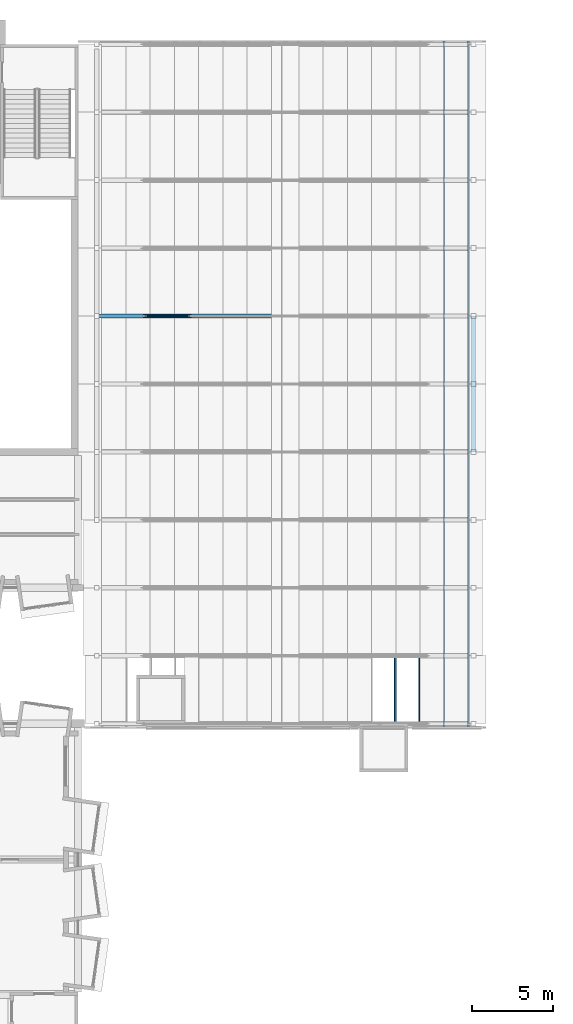
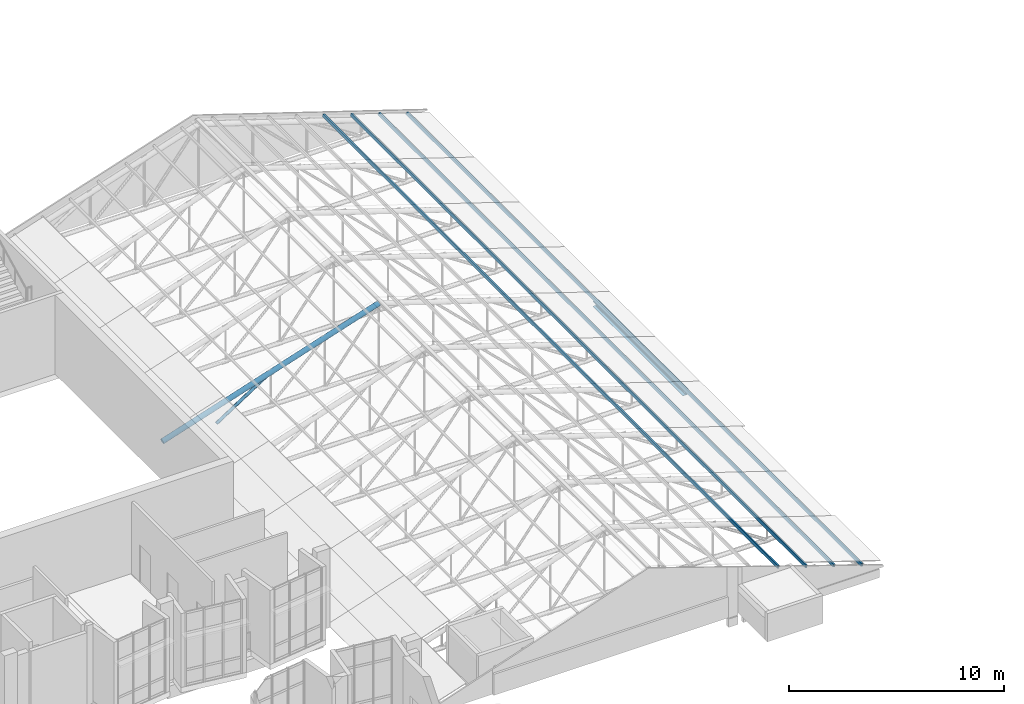
# One storey, part 36 of 95: 6 members, 1 beam.
"""IFC4 building model written with IfcOpenShell, lengths in metres."""

from ifc_helpers import new_model, si_unit, direction, frame, origin, origin_2d, place, context, subcontext, project, spatial, hollow_rectangle, hollow_circle, i_section, extrude, material, material_profile, profile_set, type_object, element, save


model = new_model("IFC4")

# Units and contexts
model_context = context("Model", 3, precision=1e-05, world=origin(), true_north=direction((0.0, 1.0)))
body_context = subcontext(model_context, "Body", "Model", "MODEL_VIEW")
ifc_project = project(units=[si_unit("LENGTHUNIT", "METRE"), si_unit("AREAUNIT", "SQUARE_METRE"), si_unit("VOLUMEUNIT", "CUBIC_METRE"), si_unit("PLANEANGLEUNIT", "RADIAN"), si_unit("MASSUNIT", "GRAM", prefix="KILO")], contexts=[model_context])

# Site, building, storey
site_placement = place(None, origin())
site = spatial("IfcSite", under=ifc_project, at=site_placement, CompositionType="ELEMENT")
building_placement = place(site_placement, origin())
building = spatial("IfcBuilding", under=site, at=building_placement, Name="Kiln Court Media Centre", CompositionType="ELEMENT")
storey_placement = place(building_placement, frame((0.0, 0.0, 24.60009765625)))
storey = spatial("IfcBuildingStorey", under=building, at=storey_placement, Name="L05", CompositionType="ELEMENT", Elevation=24.60009765625)

# Members
ifc_material_1 = material(Name="Steel ASTM A500 Gr C", Category="steel")
ifc_material_profile_1 = material_profile(ifc_material_1, hollow_circle(Radius=0.084228515625, WallThickness=0.00634765625, at=origin_2d()), Name="CHS 168.3x6.3")
ifc_profile_set_1 = profile_set([ifc_material_profile_1], Name="Steel ASTM A500 Gr C")
member_type_1 = type_object("IfcMemberType", Name="Steel ASTM A500 Gr C CHS 168.3x6.3 truss web", PredefinedType="BRACE", material=ifc_profile_set_1)
member_1_placement = place(storey_placement, frame((37.66259765625, 50.39990234375, -0.013916015625), z_axis=(0.838470915332, 0.0, 0.544946349784), x_axis=(0.0, 1.0, 0.0)))
element("IfcMember", 1, at=member_1_placement, inside=storey, type_object=member_type_1, Name="foyer truss FT-07 diagonal 2 truss web", PredefinedType="BRACE", context=body_context, shape_type="SweptSolid", body=[
    extrude(hollow_circle(Radius=0.084228515625, WallThickness=0.00634765625, at=origin_2d()), origin(), (0.0, 0.0, 1.0), 3.473388671875),
])
ifc_material_2 = material(Name="Steel ASTM A500 Gr C", Category="steel")
ifc_material_profile_2 = material_profile(ifc_material_2, hollow_circle(Radius=0.136474609375, WallThickness=0.010009765625, at=origin_2d()), Name="CHS 273.0x10.0")
ifc_profile_set_2 = profile_set([ifc_material_profile_2], Name="Steel ASTM A500 Gr C")
member_type_2 = type_object("IfcMemberType", Name="Steel ASTM A500 Gr C CHS 273.0x10.0 truss chord", PredefinedType="CHORD", material=ifc_profile_set_2)
member_2_placement = place(storey_placement, frame((34.75, 50.39990234375, -0.013916015625), z_axis=(0.951053693326, 0.0, 0.309025682447), x_axis=(0.0, 1.0, 0.0)))
element("IfcMember", 2, at=member_2_placement, inside=storey, type_object=member_type_2, Name="foyer truss FT-07 west rafter truss chord", PredefinedType="CHORD", context=body_context, shape_type="SweptSolid", body=[
    extrude(hollow_circle(Radius=0.136474609375, WallThickness=0.010009765625, at=origin_2d()), origin(), (0.0, 0.0, 1.0), 12.24951171875),
])
ifc_material_3 = material(Name="Steel ASTM A500 Gr C", Category="steel")
ifc_material_profile_3 = material_profile(ifc_material_3, hollow_rectangle(XDim=0.10009765625, YDim=0.14990234375, WallThickness=0.008056640625, at=origin_2d()), Name="RHS 150x100x8.0")
ifc_profile_set_3 = profile_set([ifc_material_profile_3], Name="Steel ASTM A500 Gr C")
member_type_3 = type_object("IfcMemberType", Name="Steel ASTM A500 Gr C RHS 150x100x8.0 roof purlin", PredefinedType="PURLIN", material=ifc_profile_set_3)
for number, where, z_axis, x_axis, name in (
    (3, (57.714599609375, 25.005615234375, 0.3154296875), (0.0, 1.0, 0.0), (-0.951056516295, 0.0, 0.309016994375), "foyer roof east purlin 1 roof purlin"),
    (4, (56.214599609375, 25.005615234375, 0.802734375), (0.0, 1.0, 0.0), (-0.951056516295, 0.0, 0.309016994375), "foyer roof east purlin 2 roof purlin"),
    (5, (54.714599609375, 25.005615234375, 1.2900390625), (0.0, 1.0, 0.0), (-0.951056516295, 0.0, 0.309016994375), "foyer roof east purlin 3 roof purlin"),
    (6, (53.214599609375, 25.005615234375, 1.777587890625), (0.0, 1.0, 0.0), (-0.951056516295, 0.0, 0.309016994375), "foyer roof east purlin 4 roof purlin"),
):
    element("IfcMember", number, at=place(storey_placement, frame(where, z_axis=z_axis, x_axis=x_axis)), inside=storey, type_object=member_type_3, Name=name, PredefinedType="PURLIN", context=body_context, shape_type="SweptSolid", body=[
        extrude(hollow_rectangle(XDim=0.10009765625, YDim=0.14990234375, WallThickness=0.008056640625, at=origin_2d()), origin(), (0.0, 0.0, 1.0), 42.388916015625),
    ])

# Beam
ifc_material_4 = material(Name="Steel ASTM A572 Gr 50", Category="steel")
ifc_material_profile_4 = material_profile(ifc_material_4, i_section(OverallWidth=0.300048828125, OverallDepth=0.300048828125, WebThickness=0.010986328125, FlangeThickness=0.01904296875, FilletRadius=0.027099609375, at=origin_2d()), Name="HE 300 B")
ifc_profile_set_4 = profile_set([ifc_material_profile_4], Name="Steel ASTM A572 Gr 50")
beam_type = type_object("IfcBeamType", Name="Steel ASTM A572 Gr 50 HE 300 B foyer eaves girder", PredefinedType="BEAM", material=ifc_profile_set_4)
beam_placement = place(storey_placement, frame((58.050048828125, 42.0, -0.300048828125), z_axis=(0.0, 1.0, 0.0), x_axis=(-1.0, 0.0, 0.0)))
element("IfcBeam", 7, at=beam_placement, inside=storey, type_object=beam_type, Name="foyer eaves girder at x 58.05 foyer eaves girder", PredefinedType="BEAM", context=body_context, shape_type="SweptSolid", body=[
    extrude(i_section(OverallWidth=0.300048828125, OverallDepth=0.300048828125, WebThickness=0.010986328125, FlangeThickness=0.01904296875, FilletRadius=0.027099609375, at=origin_2d()), origin(), (0.0, 0.0, 1.0), 8.39990234375),
])

save(model, "model.ifc")
